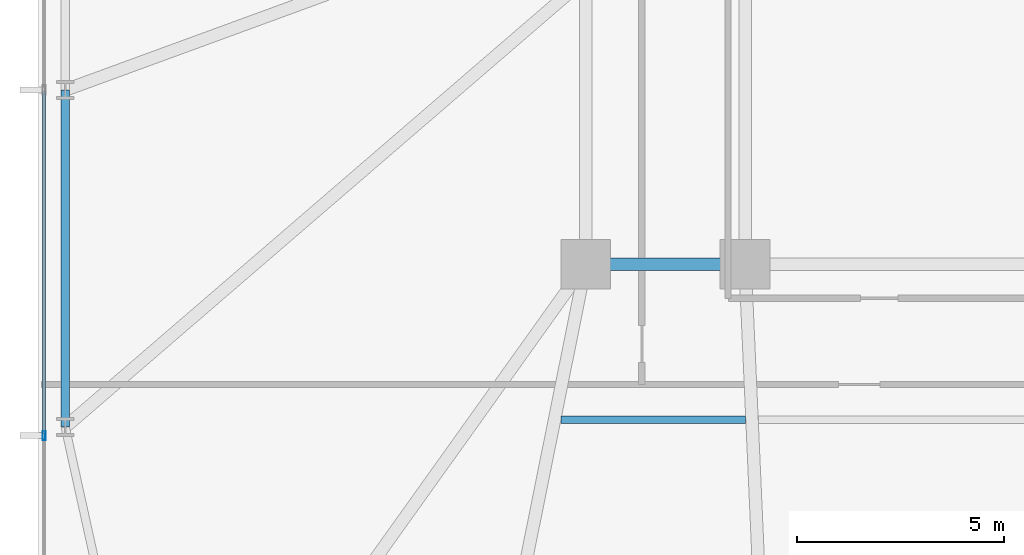
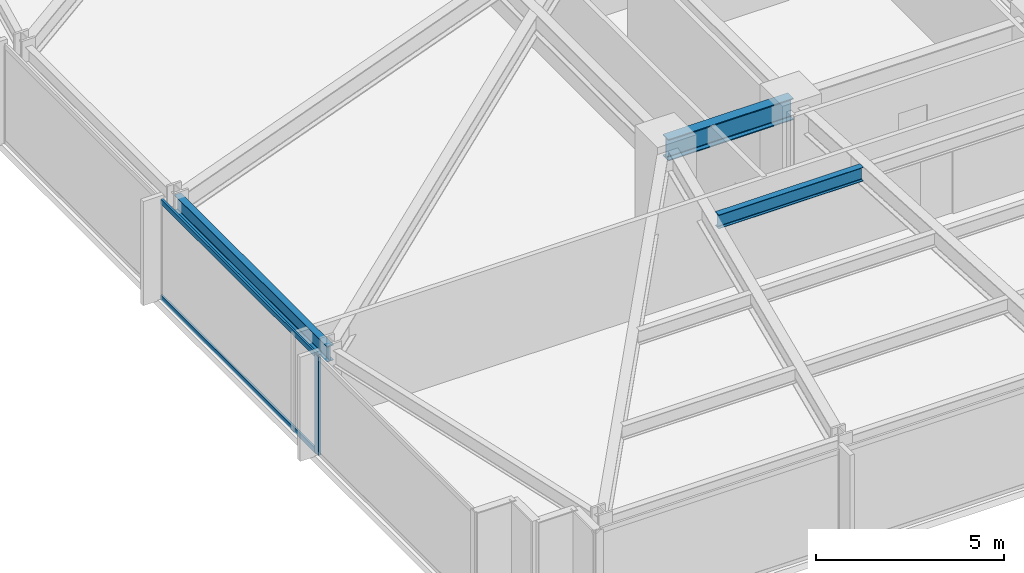
# One storey, part 4 of 32: 3 beams, 3 members, 1 element without a shape of its own.
"""IFC4 building model written with IfcOpenShell, lengths in metres."""

from ifc_helpers import new_model, si_unit, direction, frame, origin, origin_2d, place, context, subcontext, project, spatial, hollow_rectangle, i_section, extrude, material, material_profile, profile_set, type_object, element, aggregate, save


model = new_model("IFC4")

# Units and contexts
model_context = context("Model", 3, precision=1e-05, world=origin(), true_north=direction((0.0, 1.0)))
body_context = subcontext(model_context, "Body", "Model", "MODEL_VIEW")
ifc_project = project(units=[si_unit("LENGTHUNIT", "METRE"), si_unit("AREAUNIT", "SQUARE_METRE"), si_unit("VOLUMEUNIT", "CUBIC_METRE"), si_unit("PLANEANGLEUNIT", "RADIAN"), si_unit("MASSUNIT", "GRAM", prefix="KILO")], contexts=[model_context])

# Site, building, storey
site_placement = place(None, origin())
site = spatial("IfcSite", under=ifc_project, at=site_placement, CompositionType="ELEMENT")
building_placement = place(site_placement, origin())
building = spatial("IfcBuilding", under=site, at=building_placement, Name="Yelkora Congress Tower", CompositionType="ELEMENT")
storey_placement = place(building_placement, frame((0.0, 0.0, 50.800048828125)))
storey = spatial("IfcBuildingStorey", under=building, at=storey_placement, Name="L12", CompositionType="ELEMENT", Elevation=50.800048828125)

# Beams
ifc_material_1 = material(Name="Steel S355J2", Category="steel")
ifc_material_profile_1 = material_profile(ifc_material_1, i_section(OverallWidth=0.300048828125, OverallDepth=0.699951171875, WebThickness=0.01708984375, FlangeThickness=0.031982421875, FilletRadius=0.027099609375, at=origin_2d()), Name="HEB 700")
ifc_profile_set_1 = profile_set([ifc_material_profile_1], Name="Steel S355J2")
beam_type_1 = type_object("IfcBeamType", Name="BM-GIRD-HEB700", PredefinedType="BEAM", material=ifc_profile_set_1)
beam_1_placement = place(storey_placement, frame((19.199951171875, 25.199951171875, 2.829833984375), z_axis=(1.0, 0.0, 0.0), x_axis=(0.0, 1.0, 0.0)))
element("IfcBeam", 1, at=beam_1_placement, inside=storey, type_object=beam_type_1, Name="L12 Spine Grid D Girder 1", PredefinedType="BEAM", context=body_context, shape_type="SweptSolid", body=[
    extrude(i_section(OverallWidth=0.300048828125, OverallDepth=0.699951171875, WebThickness=0.01708984375, FlangeThickness=0.031982421875, FilletRadius=0.027099609375, at=origin_2d()), origin(), (0.0, 0.0, 1.0), 3.840087890625),
])
ifc_material_profile_2 = material_profile(ifc_material_1, i_section(OverallWidth=0.18994140625, OverallDepth=0.449951171875, WebThickness=0.009521484375, FlangeThickness=0.0146484375, FilletRadius=0.02099609375, at=origin_2d()), Name="IPE 450")
ifc_profile_set_2 = profile_set([ifc_material_profile_2], Name="Steel S355J2")
beam_type_2 = type_object("IfcBeamType", Name="BM-JOIST-IPE450", PredefinedType="JOIST", material=ifc_profile_set_2)
beam_2_placement = place(storey_placement, frame((18.60546875, 21.449951171875, 2.954833984375), z_axis=(1.0, 0.0, 0.0), x_axis=(0.0, 1.0, 0.0)))
element("IfcBeam", 2, at=beam_2_placement, inside=storey, type_object=beam_type_2, Name="L12 Composite Floor Joist 17", PredefinedType="JOIST", context=body_context, shape_type="SweptSolid", body=[
    extrude(i_section(OverallWidth=0.18994140625, OverallDepth=0.449951171875, WebThickness=0.009521484375, FlangeThickness=0.0146484375, FilletRadius=0.02099609375, at=origin_2d()), origin(), (0.0, 0.0, 1.0), 4.4404296875),
])
ifc_material_profile_3 = material_profile(ifc_material_1, i_section(OverallWidth=0.199951171875, OverallDepth=0.5, WebThickness=0.01025390625, FlangeThickness=0.01611328125, FilletRadius=0.02099609375, at=origin_2d()), Name="IPE 500")
ifc_profile_set_3 = profile_set([ifc_material_profile_3], Name="Steel S355J2")
beam_type_3 = type_object("IfcBeamType", Name="BM-SPAN-IPE500", PredefinedType="SPANDREL", material=ifc_profile_set_3)
beam_3_placement = place(storey_placement, frame((6.64990234375, 29.39990234375, 2.929931640625), z_axis=(0.0, -1.0, 0.0), x_axis=(1.0, 0.0, 0.0)))
element("IfcBeam", 3, at=beam_3_placement, inside=storey, type_object=beam_type_3, Name="L12 Perimeter Beam 19", PredefinedType="SPANDREL", context=body_context, shape_type="SweptSolid", body=[
    extrude(i_section(OverallWidth=0.199951171875, OverallDepth=0.5, WebThickness=0.01025390625, FlangeThickness=0.01611328125, FilletRadius=0.02099609375, at=origin_2d()), origin(), (0.0, 0.0, 1.0), 8.125),
])

# Curtain wall, members
ifc_material_2 = material(Name="Anodised aluminium and insulated glass", Category="aluminium")
curtain_wall_type = type_object("IfcCurtainWallType", Name="CW-SYS-B1", PredefinedType="NOTDEFINED", material=ifc_material_2)
curtain_wall_placement = place(storey_placement, origin())
curtain_wall = element("IfcCurtainWall", 4, at=curtain_wall_placement, inside=storey, type_object=curtain_wall_type, Name="L12 Unitised Curtain Wall 5", PredefinedType="NOTDEFINED")
ifc_material_3 = material(Name="Anodised aluminium 6063-T6", Category="aluminium")
ifc_material_profile_4 = material_profile(ifc_material_3, hollow_rectangle(XDim=0.074951171875, YDim=0.219970703125, WallThickness=0.0048828125, at=origin_2d()), Name="ALU 75x220x5")
ifc_profile_set_4 = profile_set([ifc_material_profile_4], Name="Anodised aluminium 6063-T6")
member_type_1 = type_object("IfcMemberType", Name="MEM-ML-B1", PredefinedType="MULLION", material=ifc_profile_set_4)
member_1_placement = place(storey_placement, frame((6.139892578125, 21.070068359375, 0.0), z_axis=(0.0, 0.0, 1.0), x_axis=(-1.0, 0.0, 0.0)))
member_1 = element("IfcMember", 5, at=member_1_placement, type_object=member_type_1, Name="CW-B1 mullion 2", PredefinedType="MULLION", context=body_context, shape_type="SweptSolid", body=[
    extrude(hollow_rectangle(XDim=0.074951171875, YDim=0.219970703125, WallThickness=0.0048828125, at=origin_2d()), origin(), (0.0, 0.0, 1.0), 3.179931640625),
])
ifc_material_profile_5 = material_profile(ifc_material_3, hollow_rectangle(XDim=0.06494140625, YDim=0.159912109375, WallThickness=0.00390625, at=origin_2d()), Name="ALU 65x160x4")
ifc_profile_set_5 = profile_set([ifc_material_profile_5], Name="Anodised aluminium 6063-T6")
member_type_2 = type_object("IfcMemberType", Name="MEM-TR-B1", PredefinedType="USERDEFINED", material=ifc_profile_set_5)
member_2_placement = place(storey_placement, frame((6.139892578125, 21.107421875, 0.032470703125), z_axis=(0.0, 1.0, 0.0), x_axis=(-1.0, 0.0, 0.0)))
member_2 = element("IfcMember", 6, at=member_2_placement, type_object=member_type_2, Name="CW-B1 transom 2.1", ObjectType="TRANSOM", PredefinedType="USERDEFINED", context=body_context, shape_type="SweptSolid", body=[
    extrude(hollow_rectangle(XDim=0.06494140625, YDim=0.159912109375, WallThickness=0.00390625, at=origin_2d()), origin(), (0.0, 0.0, 1.0), 8.255126953125),
])
member_3_placement = place(storey_placement, frame((6.139892578125, 21.107421875, 3.1474609375), z_axis=(0.0, 1.0, 0.0), x_axis=(-1.0, 0.0, 0.0)))
member_3 = element("IfcMember", 7, at=member_3_placement, type_object=member_type_2, Name="CW-B1 transom 2.2", ObjectType="TRANSOM", PredefinedType="USERDEFINED", context=body_context, shape_type="SweptSolid", body=[
    extrude(hollow_rectangle(XDim=0.06494140625, YDim=0.159912109375, WallThickness=0.00390625, at=origin_2d()), origin(), (0.0, 0.0, 1.0), 8.255126953125),
])
aggregate(curtain_wall, [member_1, member_2, member_3])

save(model, "model.ifc")
